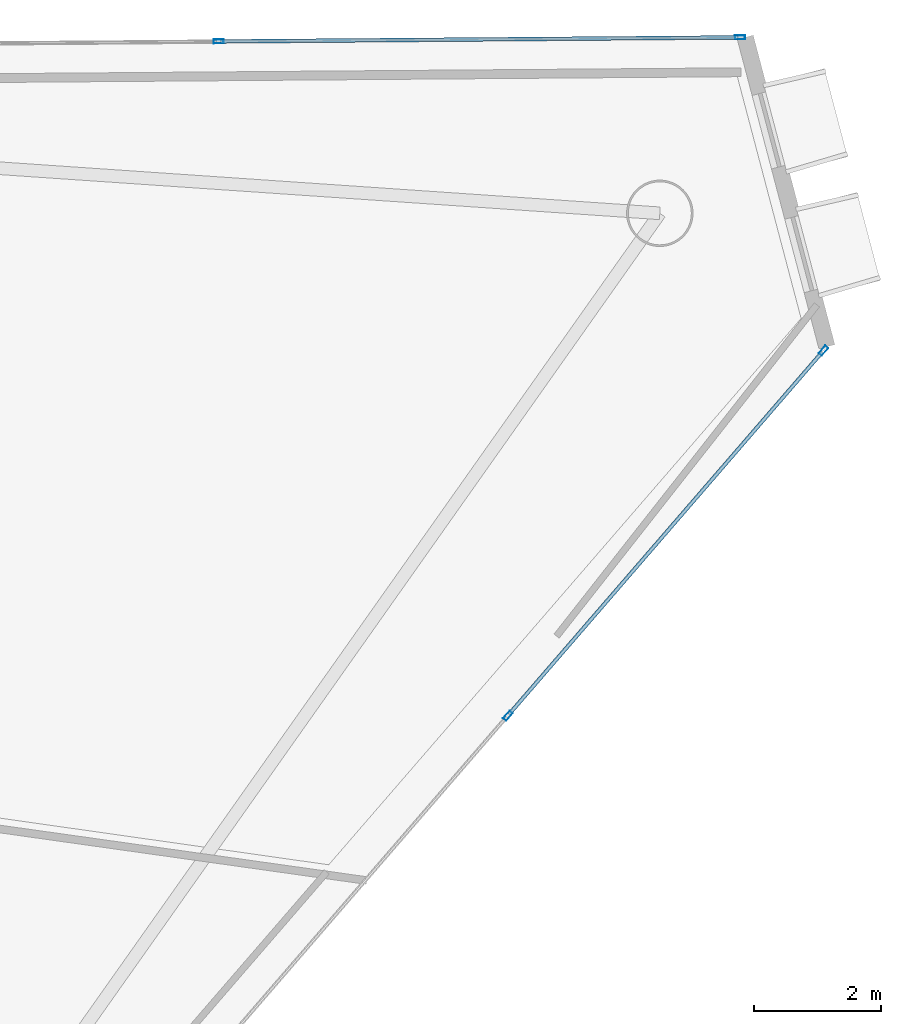
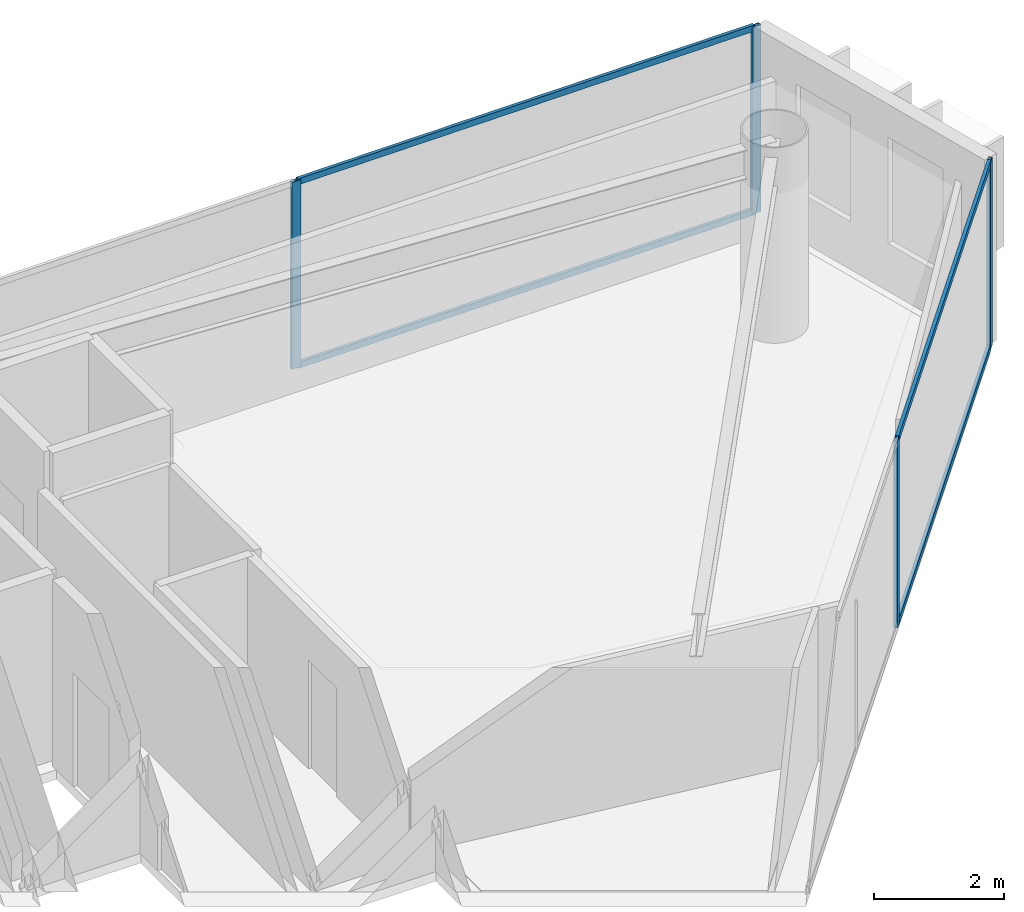
# One storey, part 13 of 21: 8 members, 2 elements without a shape of their own.
"""IFC4 building model written with IfcOpenShell, lengths in metres."""

from ifc_helpers import new_model, si_unit, direction, frame, origin, origin_2d, place, context, subcontext, project, spatial, hollow_rectangle, extrude, material, layer, layer_set, material_profile, profile_set, type_object, element, aggregate, save


model = new_model("IFC4")

# Units and contexts
model_context = context("Model", 3, precision=1e-05, world=origin(), true_north=direction((0.0, 1.0)))
body_context = subcontext(model_context, "Body", "Model", "MODEL_VIEW")
ifc_project = project(units=[si_unit("LENGTHUNIT", "METRE"), si_unit("AREAUNIT", "SQUARE_METRE"), si_unit("VOLUMEUNIT", "CUBIC_METRE"), si_unit("PLANEANGLEUNIT", "RADIAN"), si_unit("MASSUNIT", "GRAM", prefix="KILO")], contexts=[model_context])

# Site, building, storey
site_placement = place(None, origin())
site = spatial("IfcSite", under=ifc_project, at=site_placement, CompositionType="ELEMENT")
building_placement = place(site_placement, origin())
building = spatial("IfcBuilding", under=site, at=building_placement, Name="Qianvela Tower", CompositionType="ELEMENT")
storey_placement = place(building_placement, frame((0.0, 0.0, 253.800048828125)))
storey = spatial("IfcBuildingStorey", under=building, at=storey_placement, Name="L65", CompositionType="ELEMENT", Elevation=253.800048828125)

# Curtain wall, members
ifc_material_1 = material(Name="Anodised Architectural Aluminium and Low-E Glass", Category="aluminium")
ifc_layer = layer(ifc_material_1, 0.159912109375)
ifc_layer_set = layer_set([ifc_layer], Name="Anodised Architectural Aluminium and Low-E Glass")
curtain_wall_type = type_object("IfcCurtainWallType", Name="CW-COLIV-Z56", PredefinedType="USERDEFINED", material=ifc_layer_set)
curtain_wall_1_placement = place(storey_placement, origin())
curtain_wall_1 = element("IfcCurtainWall", 1, at=curtain_wall_1_placement, inside=storey, type_object=curtain_wall_type, Name="L65 CW-COLIV-Z56 Curtain Wall 02A", ObjectType="CURTAIN_WALL_SYSTEM", PredefinedType="USERDEFINED")
ifc_material_2 = material(Name="Anodised Architectural Aluminium 6063-T6", Category="aluminium")
ifc_material_profile_1 = material_profile(ifc_material_2, hollow_rectangle(XDim=0.06494140625, YDim=0.159912109375, WallThickness=0.0048828125, at=origin_2d()), Name="ALU-MULL-65x160")
ifc_profile_set_1 = profile_set([ifc_material_profile_1], Name="Anodised Architectural Aluminium 6063-T6")
member_type_1 = type_object("IfcMemberType", Name="CW-COLIV-Z56-MULL", PredefinedType="MULLION", material=ifc_profile_set_1)
member_1_placement = place(storey_placement, frame((56.598876953125, 37.38330078125, 0.0), z_axis=(0.0, 0.0, 1.0), x_axis=(0.00780399115, -0.999969548397, 0.0)))
member_1 = element("IfcMember", 2, at=member_1_placement, type_object=member_type_1, Name="CW-5 mullion 1", PredefinedType="MULLION", context=body_context, shape_type="SweptSolid", body=[
    extrude(hollow_rectangle(XDim=0.06494140625, YDim=0.159912109375, WallThickness=0.0048828125, at=origin_2d()), origin(), (0.0, 0.0, 1.0), 3.52001953125),
])
member_2_placement = place(storey_placement, frame((48.36669921875, 37.319091796875, 0.0), z_axis=(0.0, 0.0, 1.0), x_axis=(0.00780399115, -0.999969548397, 0.0)))
member_2 = element("IfcMember", 3, at=member_2_placement, type_object=member_type_1, Name="CW-5 mullion 2", PredefinedType="MULLION", context=body_context, shape_type="SweptSolid", body=[
    extrude(hollow_rectangle(XDim=0.06494140625, YDim=0.159912109375, WallThickness=0.0048828125, at=origin_2d()), origin(), (0.0, 0.0, 1.0), 3.52001953125),
])

curtain_wall_2_placement = place(storey_placement, origin())
curtain_wall_2 = element("IfcCurtainWall", 4, at=curtain_wall_2_placement, inside=storey, type_object=curtain_wall_type, Name="L65 CW-COLIV-Z56 Curtain Wall 06C", ObjectType="CURTAIN_WALL_SYSTEM", PredefinedType="USERDEFINED")
member_3_placement = place(storey_placement, frame((52.931640625, 26.672119140625, 0.0), z_axis=(0.0, 0.0, 1.0), x_axis=(-0.756457693137, 0.654042627429, 0.0)))
member_3 = element("IfcMember", 5, at=member_3_placement, type_object=member_type_1, Name="CW-5 mullion 2", PredefinedType="MULLION", context=body_context, shape_type="SweptSolid", body=[
    extrude(hollow_rectangle(XDim=0.06494140625, YDim=0.159912109375, WallThickness=0.0048828125, at=origin_2d()), origin(), (0.0, 0.0, 1.0), 3.52001953125),
])
member_4_placement = place(storey_placement, frame((57.915771484375, 32.436767578125, 0.0), z_axis=(0.0, 0.0, 1.0), x_axis=(-0.756457693137, 0.654042627429, 0.0)))
member_4 = element("IfcMember", 6, at=member_4_placement, type_object=member_type_1, Name="CW-5 mullion 3", PredefinedType="MULLION", context=body_context, shape_type="SweptSolid", body=[
    extrude(hollow_rectangle(XDim=0.06494140625, YDim=0.159912109375, WallThickness=0.0048828125, at=origin_2d()), origin(), (0.0, 0.0, 1.0), 3.52001953125),
])

# Member
ifc_material_3 = material(Name="Anodised Architectural Aluminium 6063-T6", Category="aluminium")
ifc_material_profile_2 = material_profile(ifc_material_3, hollow_rectangle(XDim=0.06005859375, YDim=0.114990234375, WallThickness=0.00390625, at=origin_2d()), Name="ALU-TRAN-60x115")
ifc_profile_set_2 = profile_set([ifc_material_profile_2], Name="Anodised Architectural Aluminium 6063-T6")
member_type_2 = type_object("IfcMemberType", Name="CW-COLIV-Z56-TRAN", PredefinedType="USERDEFINED", material=ifc_profile_set_2)
member_5_placement = place(storey_placement, frame((56.56640625, 37.383056640625, 0.030029296875), z_axis=(-0.999969565859, -0.007801753406, 0.0), x_axis=(0.007801753406, -0.999969565859, 0.0)))
member_5 = element("IfcMember", 7, at=member_5_placement, type_object=member_type_2, Name="CW-5 transom 1.1", ObjectType="TRANSOM", PredefinedType="USERDEFINED", context=body_context, shape_type="SweptSolid", body=[
    extrude(hollow_rectangle(XDim=0.06005859375, YDim=0.114990234375, WallThickness=0.00390625, at=origin_2d()), origin(), (0.0, 0.0, 1.0), 8.16748046875),
])

member_6_placement = place(storey_placement, frame((56.56640625, 37.383056640625, 3.489990234375), z_axis=(-0.999969565859, -0.007801753406, 0.0), x_axis=(0.007801753406, -0.999969565859, 0.0)))
member_6 = element("IfcMember", 8, at=member_6_placement, type_object=member_type_2, Name="CW-5 transom 1.2", ObjectType="TRANSOM", PredefinedType="USERDEFINED", context=body_context, shape_type="SweptSolid", body=[
    extrude(hollow_rectangle(XDim=0.06005859375, YDim=0.114990234375, WallThickness=0.00390625, at=origin_2d()), origin(), (0.0, 0.0, 1.0), 8.16748046875),
])

aggregate(curtain_wall_1, [member_1, member_2, member_5, member_6])

member_7_placement = place(storey_placement, frame((52.952880859375, 26.696533203125, 0.030029296875), z_axis=(0.654034517618, 0.756464704903, 0.0), x_axis=(-0.756464704903, 0.654034517618, 0.0)))
member_7 = element("IfcMember", 9, at=member_7_placement, type_object=member_type_2, Name="CW-5 transom 2.1", ObjectType="TRANSOM", PredefinedType="USERDEFINED", context=body_context, shape_type="SweptSolid", body=[
    extrude(hollow_rectangle(XDim=0.06005859375, YDim=0.114990234375, WallThickness=0.00390625, at=origin_2d()), origin(), (0.0, 0.0, 1.0), 7.5556640625),
])

member_8_placement = place(storey_placement, frame((52.952880859375, 26.696533203125, 3.489990234375), z_axis=(0.654034517618, 0.756464704903, 0.0), x_axis=(-0.756464704903, 0.654034517618, 0.0)))
member_8 = element("IfcMember", 10, at=member_8_placement, type_object=member_type_2, Name="CW-5 transom 2.2", ObjectType="TRANSOM", PredefinedType="USERDEFINED", context=body_context, shape_type="SweptSolid", body=[
    extrude(hollow_rectangle(XDim=0.06005859375, YDim=0.114990234375, WallThickness=0.00390625, at=origin_2d()), origin(), (0.0, 0.0, 1.0), 7.5556640625),
])

aggregate(curtain_wall_2, [member_3, member_4, member_7, member_8])

save(model, "model.ifc")
